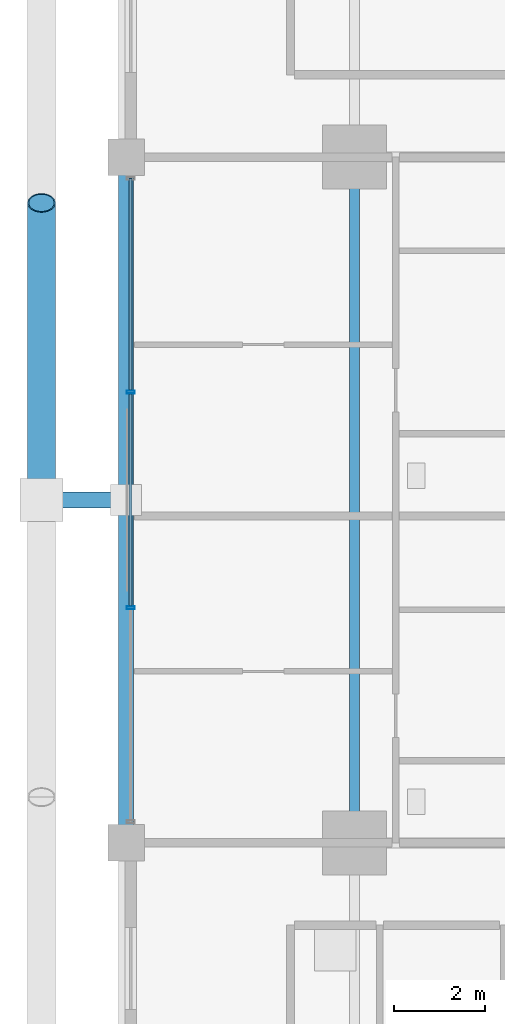
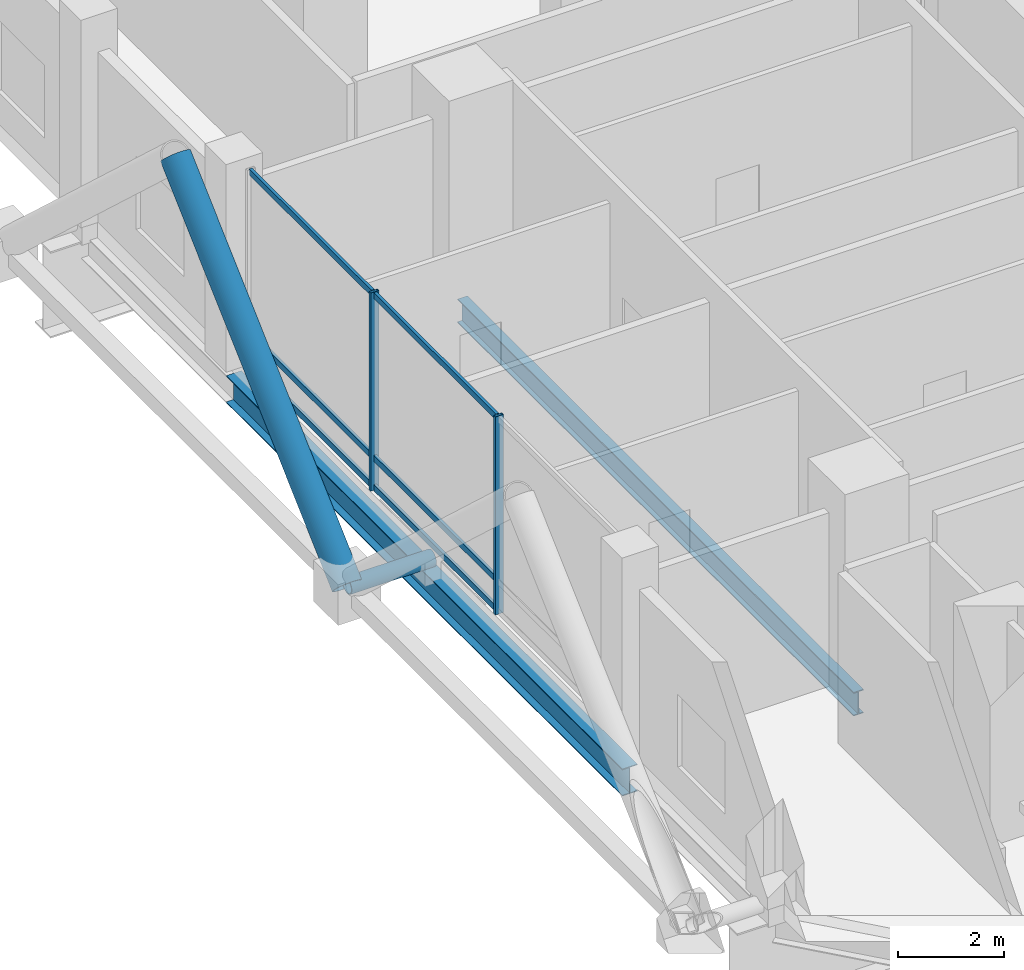
# One storey, part 8 of 33: 10 members, 2 beams, 1 element without a shape of its own.
"""IFC4 building model written with IfcOpenShell, lengths in metres."""

from ifc_helpers import new_model, si_unit, direction, frame, origin, origin_2d, place, context, subcontext, project, spatial, hollow_rectangle, hollow_circle, i_section, extrude, material, layer, layer_set, material_profile, profile_set, type_object, element, aggregate, save


model = new_model("IFC4")

# Units and contexts
model_context = context("Model", 3, precision=1e-05, world=origin(), true_north=direction((0.0, 1.0)))
body_context = subcontext(model_context, "Body", "Model", "MODEL_VIEW")
ifc_project = project(units=[si_unit("LENGTHUNIT", "METRE"), si_unit("AREAUNIT", "SQUARE_METRE"), si_unit("VOLUMEUNIT", "CUBIC_METRE"), si_unit("PLANEANGLEUNIT", "RADIAN"), si_unit("MASSUNIT", "GRAM", prefix="KILO")], contexts=[model_context])

# Site, building, storey
site_placement = place(None, origin())
site = spatial("IfcSite", under=ifc_project, at=site_placement, CompositionType="ELEMENT")
building_placement = place(site_placement, origin())
building = spatial("IfcBuilding", under=site, at=building_placement, Name="Barlavira Tower and Art Museum", CompositionType="ELEMENT")
storey_placement = place(building_placement, frame((0.0, 0.0, 27.60009765625)))
storey = spatial("IfcBuildingStorey", under=building, at=storey_placement, Name="L05", CompositionType="ELEMENT", Elevation=27.60009765625)

# Curtain wall, members
ifc_material_1 = material(Name="Low-iron coastal laminated glass", Category="glass")
ifc_layer = layer(ifc_material_1, 0.179931640625, Name="Low-iron coastal laminated glass")
ifc_layer_set = layer_set([ifc_layer], Name="Low-iron coastal laminated glass")
curtain_wall_type = type_object("IfcCurtainWallType", Name="Pale-Metal Unitised Curtain Wall Zone 1", PredefinedType="NOTDEFINED", material=ifc_layer_set)
curtain_wall_placement = place(storey_placement, origin())
curtain_wall = element("IfcCurtainWall", 1, at=curtain_wall_placement, inside=storey, type_object=curtain_wall_type, Name="L05 Curtain Wall CW1-L05-W-B3", PredefinedType="NOTDEFINED")
ifc_material_2 = material(Name="Pale anodised aluminium", Category="aluminium")
ifc_material_profile_1 = material_profile(ifc_material_2, hollow_rectangle(XDim=0.06494140625, YDim=0.179931640625, WallThickness=0.00390625, at=origin_2d()), Name="ALU-MULL 65x180x4")
ifc_profile_set_1 = profile_set([ifc_material_profile_1], Name="Pale anodised aluminium")
member_type_1 = type_object("IfcMemberType", Name="Curtain Wall Pale-Metal Mullion 65x180", PredefinedType="MULLION", material=ifc_profile_set_1)
member_1_placement = place(storey_placement, frame((-21.89990234375, 2.360107421875, 0.0), z_axis=(0.0, 0.0, 1.0), x_axis=(0.0, -1.0, 0.0)))
member_1 = element("IfcMember", 2, at=member_1_placement, type_object=member_type_1, Name="CW1-L05-W-B3 Mullion 1", PredefinedType="MULLION", context=body_context, shape_type="SweptSolid", body=[
    extrude(hollow_rectangle(XDim=0.06494140625, YDim=0.179931640625, WallThickness=0.00390625, at=origin_2d()), origin(), (0.0, 0.0, 1.0), 4.579833984375),
])
member_2_placement = place(storey_placement, frame((-21.89990234375, -2.360107421875, 0.0), z_axis=(0.0, 0.0, 1.0), x_axis=(0.0, -1.0, 0.0)))
member_2 = element("IfcMember", 3, at=member_2_placement, type_object=member_type_1, Name="CW1-L05-W-B3 Mullion 2", PredefinedType="MULLION", context=body_context, shape_type="SweptSolid", body=[
    extrude(hollow_rectangle(XDim=0.06494140625, YDim=0.179931640625, WallThickness=0.00390625, at=origin_2d()), origin(), (0.0, 0.0, 1.0), 4.579833984375),
])
ifc_material_profile_2 = material_profile(ifc_material_2, hollow_rectangle(XDim=0.06494140625, YDim=0.139892578125, WallThickness=0.00390625, at=origin_2d()), Name="ALU-TRAN 65x140x4")
ifc_profile_set_2 = profile_set([ifc_material_profile_2], Name="Pale anodised aluminium")
member_type_2 = type_object("IfcMemberType", Name="Curtain Wall Pale-Metal Transom 65x140", PredefinedType="USERDEFINED", material=ifc_profile_set_2)
member_3_placement = place(storey_placement, frame((-21.89990234375, 7.034912109375, 0.06982421875), z_axis=(0.0, -1.0, 0.0), x_axis=(1.0, 0.0, 0.0)))
member_3 = element("IfcMember", 4, at=member_3_placement, type_object=member_type_2, Name="CW1-L05-W-B3 Transom 0.1", ObjectType="TRANSOM", PredefinedType="USERDEFINED", context=body_context, shape_type="SweptSolid", body=[
    extrude(hollow_rectangle(XDim=0.06494140625, YDim=0.139892578125, WallThickness=0.00390625, at=origin_2d()), origin(), (0.0, 0.0, 1.0), 4.6298828125),
])
member_4_placement = place(storey_placement, frame((-21.89990234375, 7.034912109375, 0.75), z_axis=(0.0, -1.0, 0.0), x_axis=(1.0, 0.0, 0.0)))
member_4 = element("IfcMember", 5, at=member_4_placement, type_object=member_type_2, Name="CW1-L05-W-B3 Transom 0.2", ObjectType="TRANSOM", PredefinedType="USERDEFINED", context=body_context, shape_type="SweptSolid", body=[
    extrude(hollow_rectangle(XDim=0.06494140625, YDim=0.139892578125, WallThickness=0.00390625, at=origin_2d()), origin(), (0.0, 0.0, 1.0), 4.6298828125),
])
member_5_placement = place(storey_placement, frame((-21.89990234375, 7.034912109375, 4.510009765625), z_axis=(0.0, -1.0, 0.0), x_axis=(1.0, 0.0, 0.0)))
member_5 = element("IfcMember", 6, at=member_5_placement, type_object=member_type_2, Name="CW1-L05-W-B3 Transom 0.3", ObjectType="TRANSOM", PredefinedType="USERDEFINED", context=body_context, shape_type="SweptSolid", body=[
    extrude(hollow_rectangle(XDim=0.06494140625, YDim=0.139892578125, WallThickness=0.00390625, at=origin_2d()), origin(), (0.0, 0.0, 1.0), 4.6298828125),
])
member_6_placement = place(storey_placement, frame((-21.89990234375, 2.31494140625, 0.06982421875), z_axis=(0.0, -1.0, 0.0), x_axis=(1.0, 0.0, 0.0)))
member_6 = element("IfcMember", 7, at=member_6_placement, type_object=member_type_2, Name="CW1-L05-W-B3 Transom 1.1", ObjectType="TRANSOM", PredefinedType="USERDEFINED", context=body_context, shape_type="SweptSolid", body=[
    extrude(hollow_rectangle(XDim=0.06494140625, YDim=0.139892578125, WallThickness=0.00390625, at=origin_2d()), origin(), (0.0, 0.0, 1.0), 4.6298828125),
])
member_7_placement = place(storey_placement, frame((-21.89990234375, 2.31494140625, 0.75), z_axis=(0.0, -1.0, 0.0), x_axis=(1.0, 0.0, 0.0)))
member_7 = element("IfcMember", 8, at=member_7_placement, type_object=member_type_2, Name="CW1-L05-W-B3 Transom 1.2", ObjectType="TRANSOM", PredefinedType="USERDEFINED", context=body_context, shape_type="SweptSolid", body=[
    extrude(hollow_rectangle(XDim=0.06494140625, YDim=0.139892578125, WallThickness=0.00390625, at=origin_2d()), origin(), (0.0, 0.0, 1.0), 4.6298828125),
])
member_8_placement = place(storey_placement, frame((-21.89990234375, 2.31494140625, 4.510009765625), z_axis=(0.0, -1.0, 0.0), x_axis=(1.0, 0.0, 0.0)))
member_8 = element("IfcMember", 9, at=member_8_placement, type_object=member_type_2, Name="CW1-L05-W-B3 Transom 1.3", ObjectType="TRANSOM", PredefinedType="USERDEFINED", context=body_context, shape_type="SweptSolid", body=[
    extrude(hollow_rectangle(XDim=0.06494140625, YDim=0.139892578125, WallThickness=0.00390625, at=origin_2d()), origin(), (0.0, 0.0, 1.0), 4.6298828125),
])
aggregate(curtain_wall, [member_1, member_2, member_3, member_4, member_5, member_6, member_7, member_8])

# Members
ifc_material_3 = material(Name="Steel S355", Category="steel")
ifc_material_profile_3 = material_profile(ifc_material_3, hollow_circle(Radius=0.304931640625, WallThickness=0.028076171875, at=origin_2d()), Name="CHS 610.0x28.0")
ifc_profile_set_3 = profile_set([ifc_material_profile_3], Name="Steel S355")
member_type_3 = type_object("IfcMemberType", Name="Pale-Metal Exoskeleton Diagrid Tube CHS 610x28 Steel S355", PredefinedType="BRACE", material=ifc_profile_set_3)
member_9_placement = place(storey_placement, frame((-23.85009765625, 0.0, -0.1201171875), z_axis=(0.0, 0.734803444627, 0.678280102733), x_axis=(-1.0, 0.0, 0.0)))
element("IfcMember", 10, at=member_9_placement, inside=storey, type_object=member_type_3, Name="L05 Exoskeleton Diagrid Tube W", PredefinedType="BRACE", context=body_context, shape_type="SweptSolid", body=[
    extrude(hollow_circle(Radius=0.304931640625, WallThickness=0.028076171875, at=origin_2d()), origin(), (0.0, 0.0, 1.0), 8.845947265625),
])
ifc_material_profile_4 = material_profile(ifc_material_3, hollow_circle(Radius=0.177734375, WallThickness=0.01611328125, at=origin_2d()), Name="CHS 355.6x16.0")
ifc_profile_set_4 = profile_set([ifc_material_profile_4], Name="Steel S355")
member_type_4 = type_object("IfcMemberType", Name="Pale-Metal Exoskeleton Tie Strut CHS 356x16 Steel S355", PredefinedType="STRUT", material=ifc_profile_set_4)
member_10_placement = place(storey_placement, frame((-23.85009765625, 0.0, -0.1201171875), z_axis=(1.0, 0.0, 0.0), x_axis=(0.0, 1.0, 0.0)))
element("IfcMember", 11, at=member_10_placement, inside=storey, type_object=member_type_4, Name="L05 Exoskeleton Tie Strut W2", PredefinedType="STRUT", context=body_context, shape_type="SweptSolid", body=[
    extrude(hollow_circle(Radius=0.177734375, WallThickness=0.01611328125, at=origin_2d()), origin(), (0.0, 0.0, 1.0), 1.85009765625),
])

# Beams
ifc_material_profile_5 = material_profile(ifc_material_3, i_section(OverallWidth=0.327880859375, OverallDepth=0.62890625, WebThickness=0.013916015625, FlangeThickness=0.021484375, at=origin_2d()), Name="W610x174.0")
ifc_profile_set_5 = profile_set([ifc_material_profile_5], Name="Steel S355")
beam_type_1 = type_object("IfcBeamType", Name="Perimeter Spandrel Edge Beam W610x174 Steel S355", PredefinedType="SPANDREL", material=ifc_profile_set_5)
beam_1_placement = place(storey_placement, frame((-22.0, -7.5, -0.714599609375), z_axis=(0.0, 1.0, 0.0), x_axis=(-1.0, 0.0, 0.0)))
element("IfcBeam", 12, at=beam_1_placement, inside=storey, type_object=beam_type_1, Name="L05 Spandrel 14", PredefinedType="SPANDREL", context=body_context, shape_type="SweptSolid", body=[
    extrude(i_section(OverallWidth=0.327880859375, OverallDepth=0.62890625, WebThickness=0.013916015625, FlangeThickness=0.021484375, at=origin_2d()), origin(), (0.0, 0.0, 1.0), 15.0),
])
ifc_material_profile_6 = material_profile(ifc_material_3, i_section(OverallWidth=0.214111328125, OverallDepth=0.549072265625, WebThickness=0.0146484375, FlangeThickness=0.023681640625, at=origin_2d()), Name="W530x138.0")
ifc_profile_set_6 = profile_set([ifc_material_profile_6], Name="Steel S355")
beam_type_2 = type_object("IfcBeamType", Name="Zone 1 Primary Floor Girder W530x138 Steel S355", PredefinedType="BEAM", material=ifc_profile_set_6)
beam_2_placement = place(storey_placement, frame((-17.0, -7.5, -0.674560546875), z_axis=(0.0, 1.0, 0.0), x_axis=(-1.0, 0.0, 0.0)))
element("IfcBeam", 13, at=beam_2_placement, inside=storey, type_object=beam_type_2, Name="L05 Girder M-W2", PredefinedType="BEAM", context=body_context, shape_type="SweptSolid", body=[
    extrude(i_section(OverallWidth=0.214111328125, OverallDepth=0.549072265625, WebThickness=0.0146484375, FlangeThickness=0.023681640625, at=origin_2d()), origin(), (0.0, 0.0, 1.0), 15.0),
])

save(model, "model.ifc")
